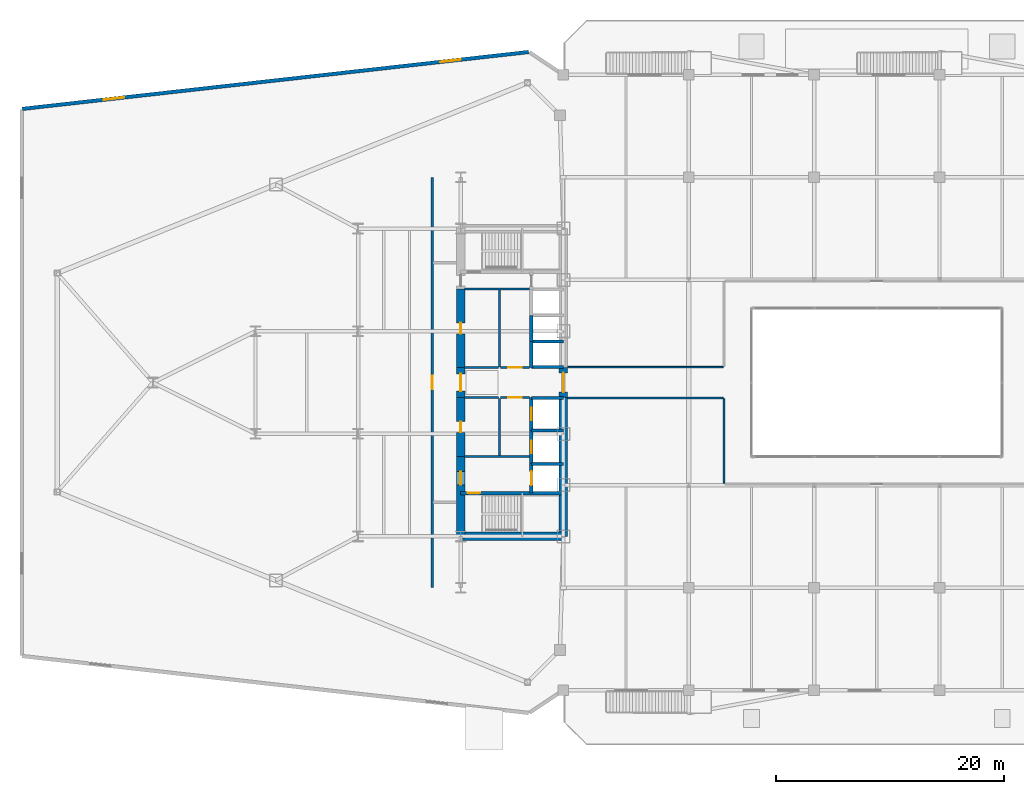
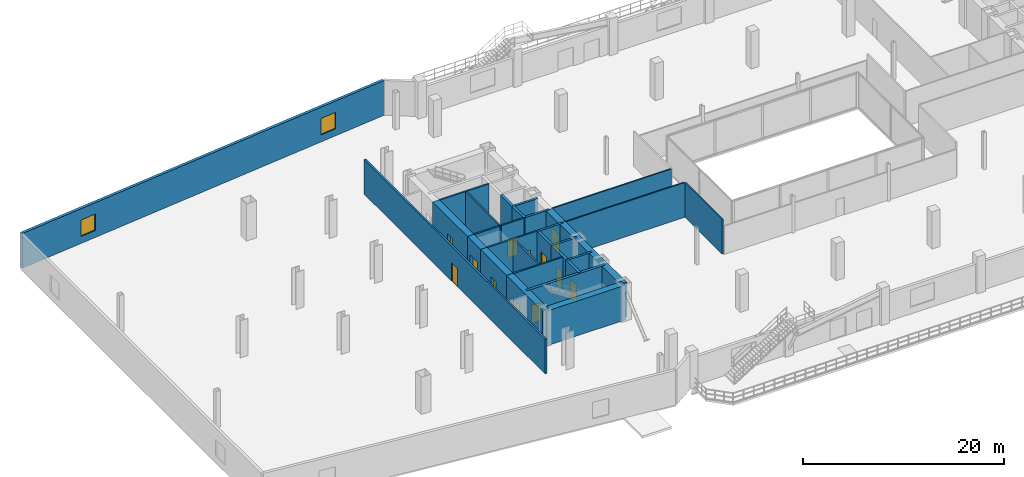
# One storey, part 15 of 25: 31 walls, 12 doors, 2 windows, 14 openings.
"""IFC4 building model written with IfcOpenShell, lengths in metres."""

from ifc_helpers import new_model, si_unit, direction, frame, frame_2d, origin, place, context, subcontext, project, spatial, rectangle, extrude, source, transform, mapped, material, layer, layer_set, type_object, type_shapes, element, fill, save


model = new_model("IFC4")

# Units and contexts
model_context = context("Model", 3, precision=1e-05, world=origin(), true_north=direction((0.0, 1.0)))
body_context = subcontext(model_context, "Body", "Model", "MODEL_VIEW")
ifc_project = project(units=[si_unit("LENGTHUNIT", "METRE"), si_unit("AREAUNIT", "SQUARE_METRE"), si_unit("VOLUMEUNIT", "CUBIC_METRE"), si_unit("PLANEANGLEUNIT", "RADIAN"), si_unit("MASSUNIT", "GRAM", prefix="KILO")], contexts=[model_context])

# Site, building, storey
site_placement = place(None, origin())
site = spatial("IfcSite", under=ifc_project, at=site_placement, CompositionType="ELEMENT")
building_placement = place(site_placement, origin())
building = spatial("IfcBuilding", under=site, at=building_placement, Name="Seokmaru Belvedere", CompositionType="ELEMENT")
storey_placement = place(building_placement, frame((0.0, 0.0, 5.39990234375)))
storey = spatial("IfcBuildingStorey", under=building, at=storey_placement, Name="L01", CompositionType="ELEMENT", Elevation=5.39990234375)

# Walls
ifc_material_1 = material(Name="Fire-Rated Gypsum Shaftwall")
ifc_layer_1 = layer(ifc_material_1, 0.14990234375)
ifc_layer_set_1 = layer_set([ifc_layer_1], Name="Fire-Rated Gypsum Shaftwall")
wall_type_1 = type_object("IfcWallType", Name="Apartment Fire-Acoustic Room Partition 150", PredefinedType="PARTITIONING", material=ifc_layer_set_1)
for number, where, z_axis, x_axis, name in (
    (1, (-27.1201171875, -1.35009765625, 0.0), (0.0, 0.0, 1.0), (1.0, 0.0, 0.0), "L01 Interior Partition 004"),
    (2, (-27.1201171875, 1.35009765625, 0.0), (0.0, 0.0, 1.0), (1.0, 0.0, 0.0), "L01 Interior Partition 006"),
):
    element("IfcWall", number, at=place(storey_placement, frame(where, z_axis=z_axis, x_axis=x_axis)), inside=storey, type_object=wall_type_1, Name=name, PredefinedType="PARTITIONING", context=body_context, shape_type="SweptSolid", body=[
        extrude(rectangle(XDim=13.635009765625, YDim=0.14990234375, at=frame_2d((6.8173828125, 0.0))), origin(), (0.0, 0.0, 1.0), 4.22021484375),
    ])
wall_1_placement = place(storey_placement, frame((-13.39990234375, -8.81494140625, 0.0), z_axis=(0.0, 0.0, 1.0), x_axis=(0.0, 1.0, 0.0)))
element("IfcWall", 3, at=wall_1_placement, inside=storey, type_object=wall_type_1, Name="L01 Interior Partition 013", PredefinedType="PARTITIONING", context=body_context, shape_type="SweptSolid", body=[
    extrude(rectangle(XDim=7.3798828125, YDim=0.14990234375, at=frame_2d((3.68994140625, 0.0))), origin(), (0.0, 0.0, 1.0), 4.22021484375),
])
ifc_layer_2 = layer(ifc_material_1, 0.179931640625)
ifc_layer_set_2 = layer_set([ifc_layer_2], Name="Fire-Rated Gypsum Shaftwall")
wall_type_2 = type_object("IfcWallType", Name="Core Service Fire Partition 180", PredefinedType="PARTITIONING", material=ifc_layer_set_2)
for number, where, z_axis, x_axis, name in (
    (4, (-36.14990234375, -6.5, 0.0), (0.0, 0.0, 1.0), (1.0, 0.0, 0.0), "L01 West Firefighting Lobby Partition"),
    (5, (-36.14990234375, 8.199951171875, 0.0), (0.0, 0.0, 1.0), (1.0, 0.0, 0.0), "L01 West Smokeproof Vestibule Partition"),
):
    element("IfcWall", number, at=place(storey_placement, frame(where, z_axis=z_axis, x_axis=x_axis)), inside=storey, type_object=wall_type_2, Name=name, PredefinedType="PARTITIONING", context=body_context, shape_type="SweptSolid", body=[
        extrude(rectangle(XDim=5.699951171875, YDim=0.179931640625, at=frame_2d((2.85009765625, 0.0))), origin(), (0.0, 0.0, 1.0), 4.22021484375),
    ])
wall_2_placement = place(storey_placement, frame((-33.10009765625, -6.419921875, 0.0), z_axis=(0.0, 0.0, 1.0), x_axis=(0.0, 1.0, 0.0)))
element("IfcWall", 6, at=wall_2_placement, inside=storey, type_object=wall_type_2, Name="L01 West South Core Service Back Wall", PredefinedType="PARTITIONING", context=body_context, shape_type="SweptSolid", body=[
    extrude(rectangle(XDim=5.0400390625, YDim=0.179931640625, at=frame_2d((2.52001953125, 0.0))), origin(), (0.0, 0.0, 1.0), 4.22021484375),
])
wall_3_placement = place(storey_placement, frame((-33.10009765625, 1.3798828125, 0.0), z_axis=(0.0, 0.0, 1.0), x_axis=(0.0, 1.0, 0.0)))
element("IfcWall", 7, at=wall_3_placement, inside=storey, type_object=wall_type_2, Name="L01 West North Core Service Back Wall", PredefinedType="PARTITIONING", context=body_context, shape_type="SweptSolid", body=[
    extrude(rectangle(XDim=6.740234375, YDim=0.179931640625, at=frame_2d((3.3701171875, 0.0))), origin(), (0.0, 0.0, 1.0), 4.22021484375),
])

# Wall, opening, door
wall_4_placement = place(storey_placement, frame((-33.02001953125, -1.300048828125, 0.0), z_axis=(0.0, 0.0, 1.0), x_axis=(1.0, 0.0, 0.0)))
wall_4 = element("IfcWall", 8, at=wall_4_placement, inside=storey, type_object=wall_type_2, Name="L01 West South Lift Lobby Foyer Wall", PredefinedType="PARTITIONING", context=body_context, shape_type="SweptSolid", body=[
    extrude(rectangle(XDim=2.570068359375, YDim=0.179931640625, at=frame_2d((1.28515625, 0.0))), origin(), (0.0, 0.0, 1.0), 4.22021484375),
])
opening_1_placement = place(wall_4_placement, frame((0.7099609375, 0.0, 0.0)))
opening_1 = element("IfcOpeningElement", 9, at=opening_1_placement, cuts=wall_4, Name="Opening D02", PredefinedType="OPENING", context=body_context, shape_type="SweptSolid", body=[
    extrude(rectangle(XDim=1.14990234375, YDim=2.199951171875, at=frame_2d((0.574951171875, 1.10009765625))), frame((0.0, 0.10009765625, 0.0), z_axis=(0.0, -1.0, 0.0), x_axis=(1.0, 0.0, 0.0)), (0.0, 0.0, 1.0), 0.199951171875),
])
ifc_material_2 = material(Name="Fire-Rated Steel Leaf", Category="steel")
door_type_1 = type_object("IfcDoorType", Name="Lobby and Vestibule Fire Door 1150x2200", OperationType="NOTDEFINED", PredefinedType="DOOR", material=ifc_material_2)
shared_shape_1 = source(origin(), body_context, "Body", "SweptSolid", [
    extrude(rectangle(XDim=1.14990234375, YDim=2.199951171875, at=frame_2d((0.574951171875, 1.10009765625))), frame((0.0, 0.02490234375, 0.0), z_axis=(0.0, -1.0, 0.0), x_axis=(1.0, 0.0, 0.0)), (0.0, 0.0, 1.0), 0.050048828125),
])
type_shapes(door_type_1, [shared_shape_1])
door_1_placement = place(opening_1_placement, origin())
door_1 = element("IfcDoor", 10, at=door_1_placement, inside=storey, type_object=door_type_1, Name="L01 West South Core Foyer Door", OperationType="SINGLE_SWING_LEFT", OverallHeight=2.199951171875, OverallWidth=1.14990234375, PredefinedType="DOOR", context=body_context, shape_type="MappedRepresentation", body=[
    mapped(shared_shape_1, transform((0.0, 0.0, 0.0), scale=1.0)),
])
fill(opening_1, door_1)

wall_5_placement = place(storey_placement, frame((-33.02001953125, 1.300048828125, 0.0), z_axis=(0.0, 0.0, 1.0), x_axis=(1.0, 0.0, 0.0)))
wall_5 = element("IfcWall", 11, at=wall_5_placement, inside=storey, type_object=wall_type_2, Name="L01 West North Lift Lobby Foyer Wall", PredefinedType="PARTITIONING", context=body_context, shape_type="SweptSolid", body=[
    extrude(rectangle(XDim=2.570068359375, YDim=0.179931640625, at=frame_2d((1.28515625, 0.0))), origin(), (0.0, 0.0, 1.0), 4.22021484375),
])
opening_2_placement = place(wall_5_placement, frame((0.7099609375, 0.0, 0.0)))
opening_2 = element("IfcOpeningElement", 12, at=opening_2_placement, cuts=wall_5, Name="Opening D02", PredefinedType="OPENING", context=body_context, shape_type="SweptSolid", body=[
    extrude(rectangle(XDim=1.14990234375, YDim=2.199951171875, at=frame_2d((0.574951171875, 1.10009765625))), frame((0.0, 0.10009765625, 0.0), z_axis=(0.0, -1.0, 0.0), x_axis=(1.0, 0.0, 0.0)), (0.0, 0.0, 1.0), 0.199951171875),
])
door_2_placement = place(opening_2_placement, origin())
door_2 = element("IfcDoor", 13, at=door_2_placement, inside=storey, type_object=door_type_1, Name="L01 West North Lift Lobby Door", OperationType="SINGLE_SWING_RIGHT", OverallHeight=2.199951171875, OverallWidth=1.14990234375, PredefinedType="DOOR", context=body_context, shape_type="MappedRepresentation", body=[
    mapped(shared_shape_1, transform((0.0, 0.0, 0.0), scale=1.0)),
])
fill(opening_2, door_2)

# Walls
for number, where, z_axis, x_axis, name in (
    (14, (-36.14990234375, -1.300048828125, 0.0), (0.0, 0.0, 1.0), (1.0, 0.0, 0.0), "L01 West Foyer Side Wall S"),
    (15, (-36.14990234375, 1.300048828125, 0.0), (0.0, 0.0, 1.0), (1.0, 0.0, 0.0), "L01 West Foyer Side Wall N"),
):
    element("IfcWall", number, at=place(storey_placement, frame(where, z_axis=z_axis, x_axis=x_axis)), inside=storey, type_object=wall_type_2, Name=name, PredefinedType="PARTITIONING", context=body_context, shape_type="SweptSolid", body=[
        extrude(rectangle(XDim=2.949951171875, YDim=0.179931640625, at=frame_2d((1.47509765625, 0.0))), origin(), (0.0, 0.0, 1.0), 4.22021484375),
    ])
ifc_material_3 = material(Name="Concrete C50 (50 MPa)", Category="concrete")
ifc_layer_3 = layer(ifc_material_3, 0.25)
ifc_layer_set_3 = layer_set([ifc_layer_3], Name="Concrete C50 (50 MPa)")
wall_type_3 = type_object("IfcWallType", Name="Hoistway Transverse Concrete Divider Wall 250", PredefinedType="SHEAR", material=ifc_layer_set_3)
for number, where, z_axis, x_axis, name in (
    (16, (-30.300048828125, -7.14990234375, 0.0), (0.0, 0.0, 1.0), (1.0, 0.0, 0.0), "L01 West Hoistway Divider Core Wall 1"),
    (17, (-30.300048828125, -4.199951171875, 0.0), (0.0, 0.0, 1.0), (1.0, 0.0, 0.0), "L01 West Hoistway Divider Core Wall 2"),
    (18, (-30.300048828125, -1.35009765625, 0.0), (0.0, 0.0, 1.0), (1.0, 0.0, 0.0), "L01 West Hoistway Divider Core Wall 3"),
    (19, (-30.300048828125, 1.35009765625, 0.0), (0.0, 0.0, 1.0), (1.0, 0.0, 0.0), "L01 West Hoistway Divider Core Wall 4"),
    (20, (-30.300048828125, 3.60009765625, 0.0), (0.0, 0.0, 1.0), (1.0, 0.0, 0.0), "L01 West Hoistway Divider Core Wall 5"),
):
    element("IfcWall", number, at=place(storey_placement, frame(where, z_axis=z_axis, x_axis=x_axis)), inside=storey, type_object=wall_type_3, Name=name, PredefinedType="SHEAR", context=body_context, shape_type="SweptSolid", body=[
        extrude(rectangle(XDim=2.800048828125, YDim=0.25, at=frame_2d((1.39990234375, 0.0))), origin(), (0.0, 0.0, 1.0), 4.22021484375),
    ])

# Wall, opening, door
ifc_layer_4 = layer(ifc_material_1, 0.199951171875)
ifc_layer_set_4 = layer_set([ifc_layer_4], Name="Fire-Rated Gypsum Shaftwall")
wall_type_4 = type_object("IfcWallType", Name="Inter-Tenancy Fire Compartment Partition 200", PredefinedType="PARTITIONING", material=ifc_layer_set_4)
wall_6_placement = place(storey_placement, frame((-39.0, -18.0, 0.0), z_axis=(0.0, 0.0, 1.0), x_axis=(0.0, 1.0, 0.0)))
wall_6 = element("IfcWall", 21, at=wall_6_placement, inside=storey, type_object=wall_type_4, Name="L01 Interior Partition 012", PredefinedType="PARTITIONING", context=body_context, shape_type="SweptSolid", body=[
    extrude(rectangle(XDim=36.0, YDim=0.199951171875, at=frame_2d((18.0, 0.0))), origin(), (0.0, 0.0, 1.0), 4.22021484375),
])
opening_3_placement = place(wall_6_placement, frame((17.425048828125, 0.0, 0.0)))
opening_3 = element("IfcOpeningElement", 22, at=opening_3_placement, cuts=wall_6, Name="Opening D02", PredefinedType="OPENING", context=body_context, shape_type="SweptSolid", body=[
    extrude(rectangle(XDim=1.14990234375, YDim=2.199951171875, at=frame_2d((0.574951171875, 1.10009765625))), frame((0.0, 0.10986328125, 0.0), z_axis=(0.0, -1.0, 0.0), x_axis=(1.0, 0.0, 0.0)), (0.0, 0.0, 1.0), 0.219970703125),
])
door_3_placement = place(opening_3_placement, origin())
door_3 = element("IfcDoor", 23, at=door_3_placement, inside=storey, type_object=door_type_1, Name="L01 Interior Door 001", OperationType="SINGLE_SWING_LEFT", OverallHeight=2.199951171875, OverallWidth=1.14990234375, PredefinedType="DOOR", context=body_context, shape_type="MappedRepresentation", body=[
    mapped(shared_shape_1, transform((0.0, 0.0, 0.0), scale=1.0)),
])
fill(opening_3, door_3)

ifc_layer_5 = layer(ifc_material_3, 0.300048828125)
ifc_layer_set_5 = layer_set([ifc_layer_5], Name="Concrete C50 (50 MPa)")
wall_type_5 = type_object("IfcWallType", Name="Internal Core Stair and Hoistway Wall 300", PredefinedType="SHEAR", material=ifc_layer_set_5)
wall_7_placement = place(storey_placement, frame((-36.5, -9.699951171875, 0.0), z_axis=(0.0, 0.0, 1.0), x_axis=(1.0, 0.0, 0.0)))
wall_7 = element("IfcWall", 24, at=wall_7_placement, inside=storey, type_object=wall_type_5, Name="L01 West Stair ST-1 Enclosure Wall", PredefinedType="SHEAR", context=body_context, shape_type="SweptSolid", body=[
    extrude(rectangle(XDim=9.0, YDim=0.300048828125, at=frame_2d((4.5, 0.0))), origin(), (0.0, 0.0, 1.0), 4.22021484375),
])
opening_4_placement = place(wall_7_placement, frame((0.60009765625, 0.0, 0.0)))
opening_4 = element("IfcOpeningElement", 25, at=opening_4_placement, cuts=wall_7, Name="Opening D01", PredefinedType="OPENING", context=body_context, shape_type="SweptSolid", body=[
    extrude(rectangle(XDim=1.10009765625, YDim=2.199951171875, at=frame_2d((0.550048828125, 1.10009765625))), frame((0.0, 0.16015625, 0.0), z_axis=(0.0, -1.0, 0.0), x_axis=(1.0, 0.0, 0.0)), (0.0, 0.0, 1.0), 0.320068359375),
])
door_type_2 = type_object("IfcDoorType", Name="Special Escape Stair Smokeproof Fire Door 1100x2200", OperationType="NOTDEFINED", PredefinedType="DOOR", material=ifc_material_2)
shared_shape_2 = source(origin(), body_context, "Body", "SweptSolid", [
    extrude(rectangle(XDim=1.10009765625, YDim=2.199951171875, at=frame_2d((0.550048828125, 1.10009765625))), frame((0.0, 0.02490234375, 0.0), z_axis=(0.0, -1.0, 0.0), x_axis=(1.0, 0.0, 0.0)), (0.0, 0.0, 1.0), 0.050048828125),
])
type_shapes(door_type_2, [shared_shape_2])
door_4_placement = place(opening_4_placement, frame((1.10009765625, 0.0, 0.0), z_axis=(0.0, 0.0, 1.0), x_axis=(-1.0, 0.0, 0.0)))
door_4 = element("IfcDoor", 26, at=door_4_placement, inside=storey, type_object=door_type_2, Name="L01 West Special Escape Stair ST-1 Door", OperationType="SINGLE_SWING_LEFT", OverallHeight=2.199951171875, OverallWidth=1.10009765625, PredefinedType="DOOR", context=body_context, shape_type="MappedRepresentation", body=[
    mapped(shared_shape_2, transform((0.0, 0.0, 0.0), scale=1.0)),
])
fill(opening_4, door_4)

wall_8_placement = place(storey_placement, frame((-30.300048828125, -9.679931640625, 0.0), z_axis=(0.0, 0.0, 1.0), x_axis=(0.0, 1.0, 0.0)))
wall_8 = element("IfcWall", 27, at=wall_8_placement, inside=storey, type_object=wall_type_5, Name="L01 West Firefighting Lift Shaft Front Wall", PredefinedType="SHEAR", context=body_context, shape_type="SweptSolid", body=[
    extrude(rectangle(XDim=2.559814453125, YDim=0.300048828125, at=frame_2d((1.27978515625, 0.0))), origin(), (0.0, 0.0, 1.0), 4.22021484375),
])
opening_5_placement = place(wall_8_placement, frame((0.679931640625, 0.0, 0.0)))
opening_5 = element("IfcOpeningElement", 28, at=opening_5_placement, cuts=wall_8, Name="Opening LD2", PredefinedType="OPENING", context=body_context, shape_type="SweptSolid", body=[
    extrude(rectangle(XDim=1.199951171875, YDim=2.25, at=frame_2d((0.60009765625, 1.125))), frame((0.0, 0.16015625, 0.0), z_axis=(0.0, -1.0, 0.0), x_axis=(1.0, 0.0, 0.0)), (0.0, 0.0, 1.0), 0.320068359375),
])
ifc_material_4 = material(Name="Stainless Steel 316", Category="steel")
door_type_3 = type_object("IfcDoorType", Name="Firefighting Lift Sliding Landing Door 1200x2250", OperationType="DOUBLE_DOOR_SLIDING", PredefinedType="DOOR", material=ifc_material_4)
shared_shape_3 = source(origin(), body_context, "Body", "SweptSolid", [
    extrude(rectangle(XDim=1.199951171875, YDim=2.25, at=frame_2d((0.60009765625, 1.125))), frame((0.0, 0.02490234375, 0.0), z_axis=(0.0, -1.0, 0.0), x_axis=(1.0, 0.0, 0.0)), (0.0, 0.0, 1.0), 0.050048828125),
])
type_shapes(door_type_3, [shared_shape_3])
door_5_placement = place(opening_5_placement, origin())
door_5 = element("IfcDoor", 29, at=door_5_placement, inside=storey, type_object=door_type_3, Name="L01 West Firefighting Lift Landing Door", OperationType="DOUBLE_DOOR_SLIDING", OverallHeight=2.25, OverallWidth=1.199951171875, PredefinedType="DOOR", context=body_context, shape_type="MappedRepresentation", body=[
    mapped(shared_shape_3, transform((0.0, 0.0, 0.0), scale=1.0)),
])
fill(opening_5, door_5)

wall_9_placement = place(storey_placement, frame((-30.300048828125, -7.1201171875, 0.0), z_axis=(0.0, 0.0, 1.0), x_axis=(0.0, 1.0, 0.0)))
wall_9 = element("IfcWall", 30, at=wall_9_placement, inside=storey, type_object=wall_type_5, Name="L01 West Low-Rise Lift PL-1 Front Wall", PredefinedType="SHEAR", context=body_context, shape_type="SweptSolid", body=[
    extrude(rectangle(XDim=2.920166015625, YDim=0.300048828125, at=frame_2d((1.4599609375, 0.0))), origin(), (0.0, 0.0, 1.0), 4.22021484375),
])
opening_6_placement = place(wall_9_placement, frame((0.909912109375, 0.0, 0.0)))
opening_6 = element("IfcOpeningElement", 31, at=opening_6_placement, cuts=wall_9, Name="Opening LD1", PredefinedType="OPENING", context=body_context, shape_type="SweptSolid", body=[
    extrude(rectangle(XDim=1.10009765625, YDim=2.199951171875, at=frame_2d((0.550048828125, 1.10009765625))), frame((0.0, 0.16015625, 0.0), z_axis=(0.0, -1.0, 0.0), x_axis=(1.0, 0.0, 0.0)), (0.0, 0.0, 1.0), 0.320068359375),
])
door_type_4 = type_object("IfcDoorType", Name="Passenger Lift Sliding Landing Door 1100x2200", OperationType="DOUBLE_DOOR_SLIDING", PredefinedType="DOOR", material=ifc_material_4)
shared_shape_4 = source(origin(), body_context, "Body", "SweptSolid", [
    extrude(rectangle(XDim=1.10009765625, YDim=2.199951171875, at=frame_2d((0.550048828125, 1.10009765625))), frame((0.0, 0.02490234375, 0.0), z_axis=(0.0, -1.0, 0.0), x_axis=(1.0, 0.0, 0.0)), (0.0, 0.0, 1.0), 0.050048828125),
])
type_shapes(door_type_4, [shared_shape_4])
door_6_placement = place(opening_6_placement, origin())
door_6 = element("IfcDoor", 32, at=door_6_placement, inside=storey, type_object=door_type_4, Name="L01 West Low-Rise Lift PL-1 Landing Door", OperationType="DOUBLE_DOOR_SLIDING", OverallHeight=2.199951171875, OverallWidth=1.10009765625, PredefinedType="DOOR", context=body_context, shape_type="MappedRepresentation", body=[
    mapped(shared_shape_4, transform((0.0, 0.0, 0.0), scale=1.0)),
])
fill(opening_6, door_6)

wall_10_placement = place(storey_placement, frame((-30.300048828125, -4.199951171875, 0.0), z_axis=(0.0, 0.0, 1.0), x_axis=(0.0, 1.0, 0.0)))
wall_10 = element("IfcWall", 33, at=wall_10_placement, inside=storey, type_object=wall_type_5, Name="L01 West Low-Rise Lift PL-2 Front Wall", PredefinedType="SHEAR", context=body_context, shape_type="SweptSolid", body=[
    extrude(rectangle(XDim=2.8798828125, YDim=0.300048828125, at=frame_2d((1.43994140625, 0.0))), origin(), (0.0, 0.0, 1.0), 4.22021484375),
])
opening_7_placement = place(wall_10_placement, frame((0.889892578125, 0.0, 0.0)))
opening_7 = element("IfcOpeningElement", 34, at=opening_7_placement, cuts=wall_10, Name="Opening LD1", PredefinedType="OPENING", context=body_context, shape_type="SweptSolid", body=[
    extrude(rectangle(XDim=1.10009765625, YDim=2.199951171875, at=frame_2d((0.550048828125, 1.10009765625))), frame((0.0, 0.16015625, 0.0), z_axis=(0.0, -1.0, 0.0), x_axis=(1.0, 0.0, 0.0)), (0.0, 0.0, 1.0), 0.320068359375),
])
door_7_placement = place(opening_7_placement, origin())
door_7 = element("IfcDoor", 35, at=door_7_placement, inside=storey, type_object=door_type_4, Name="L01 West Low-Rise Lift PL-2 Landing Door", OperationType="DOUBLE_DOOR_SLIDING", OverallHeight=2.199951171875, OverallWidth=1.10009765625, PredefinedType="DOOR", context=body_context, shape_type="MappedRepresentation", body=[
    mapped(shared_shape_4, transform((0.0, 0.0, 0.0), scale=1.0)),
])
fill(opening_7, door_7)

# Walls
wall_11_placement = place(storey_placement, frame((-30.300048828125, 1.320068359375, 0.0), z_axis=(0.0, 0.0, 1.0), x_axis=(0.0, 1.0, 0.0)))
element("IfcWall", 36, at=wall_11_placement, inside=storey, type_object=wall_type_5, Name="L01 West North Hoistway Wall PH1", PredefinedType="SHEAR", context=body_context, shape_type="SweptSolid", body=[
    extrude(rectangle(XDim=2.280029296875, YDim=0.300048828125, at=frame_2d((1.14013671875, 0.0))), origin(), (0.0, 0.0, 1.0), 4.22021484375),
])
wall_12_placement = place(storey_placement, frame((-30.300048828125, 3.60009765625, 0.0), z_axis=(0.0, 0.0, 1.0), x_axis=(0.0, 1.0, 0.0)))
element("IfcWall", 37, at=wall_12_placement, inside=storey, type_object=wall_type_5, Name="L01 West North Hoistway Wall PH2", PredefinedType="SHEAR", context=body_context, shape_type="SweptSolid", body=[
    extrude(rectangle(XDim=2.2998046875, YDim=0.300048828125, at=frame_2d((1.14990234375, 0.0))), origin(), (0.0, 0.0, 1.0), 4.22021484375),
])
ifc_material_5 = material(Name="Concrete C60 (60 MPa)", Category="concrete")
ifc_layer_6 = layer(ifc_material_5, 0.75)
ifc_layer_set_6 = layer_set([ifc_layer_6], Name="Concrete C60 (60 MPa)")
wall_type_6 = type_object("IfcWallType", Name="Lower Tower Reinforced Concrete Core Wall 750", PredefinedType="SHEAR", material=ifc_layer_set_6)
wall_13_placement = place(storey_placement, frame((-27.5, -13.5, 0.0), z_axis=(0.0, 0.0, 1.0), x_axis=(0.0, 1.0, 0.0)))
element("IfcWall", 38, at=wall_13_placement, inside=storey, type_object=wall_type_6, Name="L01 West Portal Spine Core Wall South", PredefinedType="SHEAR", context=body_context, shape_type="SweptSolid", body=[
    extrude(rectangle(XDim=12.199951171875, YDim=0.75, at=frame_2d((6.10009765625, 0.0))), origin(), (0.0, 0.0, 1.0), 4.22021484375),
])

# Wall, opening, door
wall_14_placement = place(storey_placement, frame((-27.5, -1.300048828125, 0.0), z_axis=(0.0, 0.0, 1.0), x_axis=(0.0, 1.0, 0.0)))
wall_14 = element("IfcWall", 39, at=wall_14_placement, inside=storey, type_object=wall_type_6, Name="L01 West Portal Spine Core Wall Center", PredefinedType="SHEAR", context=body_context, shape_type="SweptSolid", body=[
    extrude(rectangle(XDim=2.60009765625, YDim=0.75, at=frame_2d((1.300048828125, 0.0))), origin(), (0.0, 0.0, 1.0), 4.22021484375),
])
opening_8_placement = place(wall_14_placement, frame((0.449951171875, 0.0, 0.0)))
opening_8 = element("IfcOpeningElement", 40, at=opening_8_placement, cuts=wall_14, Name="Opening D09", PredefinedType="OPENING", context=body_context, shape_type="SweptSolid", body=[
    extrude(rectangle(XDim=1.699951171875, YDim=2.35009765625, at=frame_2d((0.85009765625, 1.175048828125))), frame((0.0, 0.385009765625, 0.0), z_axis=(0.0, -1.0, 0.0), x_axis=(1.0, 0.0, 0.0)), (0.0, 0.0, 1.0), 0.77001953125),
])
door_type_5 = type_object("IfcDoorType", Name="Sky-Gate Bridge Inter-Tower Fire Door 1700x2350", OperationType="DOUBLE_SWING_LEFT", PredefinedType="DOOR", material=ifc_material_2)
shared_shape_5 = source(origin(), body_context, "Body", "SweptSolid", [
    extrude(rectangle(XDim=1.699951171875, YDim=2.35009765625, at=frame_2d((0.85009765625, 1.175048828125))), frame((0.0, 0.02490234375, 0.0), z_axis=(0.0, -1.0, 0.0), x_axis=(1.0, 0.0, 0.0)), (0.0, 0.0, 1.0), 0.050048828125),
])
type_shapes(door_type_5, [shared_shape_5])
door_8_placement = place(opening_8_placement, origin())
door_8 = element("IfcDoor", 41, at=door_8_placement, inside=storey, type_object=door_type_5, Name="L01 West Inter-Tower Fire Door", OperationType="DOUBLE_SWING_LEFT", OverallHeight=2.35009765625, OverallWidth=1.699951171875, PredefinedType="DOOR", context=body_context, shape_type="MappedRepresentation", body=[
    mapped(shared_shape_5, transform((0.0, 0.0, 0.0), scale=1.0)),
])
fill(opening_8, door_8)

# Wall
wall_15_placement = place(storey_placement, frame((-36.5, -13.5, 0.0), z_axis=(0.0, 0.0, 1.0), x_axis=(1.0, 0.0, 0.0)))
element("IfcWall", 42, at=wall_15_placement, inside=storey, type_object=wall_type_6, Name="L01 West South Core Wall", PredefinedType="SHEAR", context=body_context, shape_type="SweptSolid", body=[
    extrude(rectangle(XDim=9.0, YDim=0.75, at=frame_2d((4.5, 0.0))), origin(), (0.0, 0.0, 1.0), 4.22021484375),
])

# Wall, opening, door
wall_16_placement = place(storey_placement, frame((-36.5, -13.64990234375, 0.0), z_axis=(0.0, 0.0, 1.0), x_axis=(0.0, 1.0, 0.0)))
wall_16 = element("IfcWall", 43, at=wall_16_placement, inside=storey, type_object=wall_type_6, Name="L01 West West Core Wall FF", PredefinedType="SHEAR", context=body_context, shape_type="SweptSolid", body=[
    extrude(rectangle(XDim=7.14990234375, YDim=0.75, at=frame_2d((3.574951171875, 0.0))), origin(), (0.0, 0.0, 1.0), 4.22021484375),
])
opening_9_placement = place(wall_16_placement, frame((4.675048828125, 0.0, 0.0)))
opening_9 = element("IfcOpeningElement", 44, at=opening_9_placement, cuts=wall_16, Name="Opening D02", PredefinedType="OPENING", context=body_context, shape_type="SweptSolid", body=[
    extrude(rectangle(XDim=1.14990234375, YDim=2.199951171875, at=frame_2d((0.574951171875, 1.10009765625))), frame((0.0, 0.385009765625, 0.0), z_axis=(0.0, -1.0, 0.0), x_axis=(1.0, 0.0, 0.0)), (0.0, 0.0, 1.0), 0.77001953125),
])
door_9_placement = place(opening_9_placement, frame((1.14990234375, 0.0, 0.0), z_axis=(0.0, 0.0, 1.0), x_axis=(-1.0, 0.0, 0.0)))
door_9 = element("IfcDoor", 45, at=door_9_placement, inside=storey, type_object=door_type_1, Name="L01 West Firefighting Lobby Door", OperationType="SINGLE_SWING_LEFT", OverallHeight=2.199951171875, OverallWidth=1.14990234375, PredefinedType="DOOR", context=body_context, shape_type="MappedRepresentation", body=[
    mapped(shared_shape_1, transform((0.0, 0.0, 0.0), scale=1.0)),
])
fill(opening_9, door_9)

wall_17_placement = place(storey_placement, frame((-36.5, -1.300048828125, 0.0), z_axis=(0.0, 0.0, 1.0), x_axis=(0.0, 1.0, 0.0)))
wall_17 = element("IfcWall", 46, at=wall_17_placement, inside=storey, type_object=wall_type_6, Name="L01 West West Core Wall FOY", PredefinedType="SHEAR", context=body_context, shape_type="SweptSolid", body=[
    extrude(rectangle(XDim=2.60009765625, YDim=0.75, at=frame_2d((1.300048828125, 0.0))), origin(), (0.0, 0.0, 1.0), 4.22021484375),
])
opening_10_placement = place(wall_17_placement, frame((0.550048828125, 0.0, 0.0)))
opening_10 = element("IfcOpeningElement", 47, at=opening_10_placement, cuts=wall_17, Name="Opening D08", PredefinedType="OPENING", context=body_context, shape_type="SweptSolid", body=[
    extrude(rectangle(XDim=1.5, YDim=2.300048828125, at=frame_2d((0.75, 1.14990234375))), frame((0.0, 0.385009765625, 0.0), z_axis=(0.0, -1.0, 0.0), x_axis=(1.0, 0.0, 0.0)), (0.0, 0.0, 1.0), 0.77001953125),
])
door_type_6 = type_object("IfcDoorType", Name="Cross-Corridor Compartment Double Fire Door 1500x2300", OperationType="DOUBLE_SWING_LEFT", PredefinedType="DOOR", material=ifc_material_2)
shared_shape_6 = source(origin(), body_context, "Body", "SweptSolid", [
    extrude(rectangle(XDim=1.5, YDim=2.300048828125, at=frame_2d((0.75, 1.14990234375))), frame((0.0, 0.02490234375, 0.0), z_axis=(0.0, -1.0, 0.0), x_axis=(1.0, 0.0, 0.0)), (0.0, 0.0, 1.0), 0.050048828125),
])
type_shapes(door_type_6, [shared_shape_6])
door_10_placement = place(opening_10_placement, origin())
door_10 = element("IfcDoor", 48, at=door_10_placement, inside=storey, type_object=door_type_6, Name="L01 West Core Foyer Compartment Door", OperationType="DOUBLE_SWING_LEFT", OverallHeight=2.300048828125, OverallWidth=1.5, PredefinedType="DOOR", context=body_context, shape_type="MappedRepresentation", body=[
    mapped(shared_shape_6, transform((0.0, 0.0, 0.0), scale=1.0)),
])
fill(opening_10, door_10)

wall_18_placement = place(storey_placement, frame((-36.5, -6.5, 0.0), z_axis=(0.0, 0.0, 1.0), x_axis=(0.0, 1.0, 0.0)))
wall_18 = element("IfcWall", 49, at=wall_18_placement, inside=storey, type_object=wall_type_6, Name="L01 West West Core Wall CS1", PredefinedType="SHEAR", context=body_context, shape_type="SweptSolid", body=[
    extrude(rectangle(XDim=5.199951171875, YDim=0.75, at=frame_2d((2.60009765625, 0.0))), origin(), (0.0, 0.0, 1.0), 4.22021484375),
])
opening_11_placement = place(wall_18_placement, frame((2.125, 0.0, 0.0)))
opening_11 = element("IfcOpeningElement", 50, at=opening_11_placement, cuts=wall_18, Name="Opening D04", PredefinedType="OPENING", context=body_context, shape_type="SweptSolid", body=[
    extrude(rectangle(XDim=0.949951171875, YDim=2.14990234375, at=frame_2d((0.47509765625, 1.074951171875))), frame((0.0, 0.385009765625, 0.0), z_axis=(0.0, -1.0, 0.0), x_axis=(1.0, 0.0, 0.0)), (0.0, 0.0, 1.0), 0.77001953125),
])
door_type_7 = type_object("IfcDoorType", Name="Core Service Room Fire Door 950x2150", OperationType="NOTDEFINED", PredefinedType="DOOR", material=ifc_material_2)
shared_shape_7 = source(origin(), body_context, "Body", "SweptSolid", [
    extrude(rectangle(XDim=0.949951171875, YDim=2.14990234375, at=frame_2d((0.47509765625, 1.074951171875))), frame((0.0, 0.02490234375, 0.0), z_axis=(0.0, -1.0, 0.0), x_axis=(1.0, 0.0, 0.0)), (0.0, 0.0, 1.0), 0.050048828125),
])
type_shapes(door_type_7, [shared_shape_7])
door_11_placement = place(opening_11_placement, origin())
door_11 = element("IfcDoor", 51, at=door_11_placement, inside=storey, type_object=door_type_7, Name="L01 West Core Service Room Door 1", OperationType="SINGLE_SWING_LEFT", OverallHeight=2.14990234375, OverallWidth=0.949951171875, PredefinedType="DOOR", context=body_context, shape_type="MappedRepresentation", body=[
    mapped(shared_shape_7, transform((0.0, 0.0, 0.0), scale=1.0)),
])
fill(opening_11, door_11)

wall_19_placement = place(storey_placement, frame((-36.5, 1.300048828125, 0.0), z_axis=(0.0, 0.0, 1.0), x_axis=(0.0, 1.0, 0.0)))
wall_19 = element("IfcWall", 52, at=wall_19_placement, inside=storey, type_object=wall_type_6, Name="L01 West West Core Wall CS2", PredefinedType="SHEAR", context=body_context, shape_type="SweptSolid", body=[
    extrude(rectangle(XDim=6.89990234375, YDim=0.75, at=frame_2d((3.449951171875, 0.0))), origin(), (0.0, 0.0, 1.0), 4.22021484375),
])
opening_12_placement = place(wall_19_placement, frame((2.97509765625, 0.0, 0.0)))
opening_12 = element("IfcOpeningElement", 53, at=opening_12_placement, cuts=wall_19, Name="Opening D04", PredefinedType="OPENING", context=body_context, shape_type="SweptSolid", body=[
    extrude(rectangle(XDim=0.949951171875, YDim=2.14990234375, at=frame_2d((0.47509765625, 1.074951171875))), frame((0.0, 0.385009765625, 0.0), z_axis=(0.0, -1.0, 0.0), x_axis=(1.0, 0.0, 0.0)), (0.0, 0.0, 1.0), 0.77001953125),
])
door_12_placement = place(opening_12_placement, origin())
door_12 = element("IfcDoor", 54, at=door_12_placement, inside=storey, type_object=door_type_7, Name="L01 West Core Service Room Door 2", OperationType="SINGLE_SWING_RIGHT", OverallHeight=2.14990234375, OverallWidth=0.949951171875, PredefinedType="DOOR", context=body_context, shape_type="MappedRepresentation", body=[
    mapped(shared_shape_7, transform((0.0, 0.0, 0.0), scale=1.0)),
])
fill(opening_12, door_12)

# Wall, openings, windows
ifc_material_6 = material(Name="Concrete C40 (40 MPa)", Category="concrete")
ifc_layer_7 = layer(ifc_material_6, 0.320068359375)
ifc_layer_set_7 = layer_set([ifc_layer_7], Name="Concrete C40 (40 MPa)")
wall_type_7 = type_object("IfcWallType", Name="Podium Terrace Insulated Wall 320", PredefinedType="SOLIDWALL", material=ifc_layer_set_7)
wall_20_placement = place(storey_placement, frame((-30.539794921875, 28.99560546875, 0.0), z_axis=(0.0, 0.0, 1.0), x_axis=(-0.993746430789, -0.111660338952, 0.0)))
wall_20 = element("IfcWall", 55, at=wall_20_placement, inside=storey, type_object=wall_type_7, Name="L01 Exterior Podium Wall 11", PredefinedType="SOLIDWALL", context=body_context, shape_type="SweptSolid", body=[
    extrude(rectangle(XDim=44.699951171875, YDim=0.320068359375, at=frame_2d((22.35009765625, 0.0))), origin(), (0.0, 0.0, 1.0), 4.22021484375),
])
opening_13_placement = place(wall_20_placement, frame((6.0, 0.0, 0.85009765625)))
opening_13 = element("IfcOpeningElement", 56, at=opening_13_placement, cuts=wall_20, Name="Opening WN2", PredefinedType="OPENING", context=body_context, shape_type="SweptSolid", body=[
    extrude(rectangle(XDim=1.800048828125, YDim=2.0, at=frame_2d((0.89990234375, 1.0))), frame((0.0, 0.169921875, 0.0), z_axis=(0.0, -1.0, 0.0), x_axis=(1.0, 0.0, 0.0)), (0.0, 0.0, 1.0), 0.340087890625),
])
opening_14_placement = place(wall_20_placement, frame((35.699951171875, 0.0, 0.85009765625)))
opening_14 = element("IfcOpeningElement", 57, at=opening_14_placement, cuts=wall_20, Name="Opening WN2", PredefinedType="OPENING", context=body_context, shape_type="SweptSolid", body=[
    extrude(rectangle(XDim=1.800048828125, YDim=2.0, at=frame_2d((0.89990234375, 1.0))), frame((0.0, 0.169921875, 0.0), z_axis=(0.0, -1.0, 0.0), x_axis=(1.0, 0.0, 0.0)), (0.0, 0.0, 1.0), 0.340087890625),
])
ifc_material_7 = material(Name="Bronze Triple Insulating Glass", Category="glass")
window_type = type_object("IfcWindowType", Name="Podium Gallery Window 1800x2000", PartitioningType="SINGLE_PANEL", PredefinedType="WINDOW", material=ifc_material_7)
shared_shape_8 = source(origin(), body_context, "Body", "SweptSolid", [
    extrude(rectangle(XDim=1.800048828125, YDim=2.0, at=frame_2d((0.89990234375, 1.0))), frame((0.0, 0.030029296875, 0.0), z_axis=(0.0, -1.0, 0.0), x_axis=(1.0, 0.0, 0.0)), (0.0, 0.0, 1.0), 0.06005859375),
])
type_shapes(window_type, [shared_shape_8])
window_1_placement = place(opening_13_placement, origin())
window_1 = element("IfcWindow", 58, at=window_1_placement, inside=storey, type_object=window_type, Name="L01 Podium Gallery Window 10-1", OverallHeight=2.0, OverallWidth=1.800048828125, PartitioningType="SINGLE_PANEL", PredefinedType="WINDOW", context=body_context, shape_type="MappedRepresentation", body=[
    mapped(shared_shape_8, transform((0.0, 0.0, 0.0), scale=1.0)),
])
fill(opening_13, window_1)
window_2_placement = place(opening_14_placement, origin())
window_2 = element("IfcWindow", 59, at=window_2_placement, inside=storey, type_object=window_type, Name="L01 Podium Gallery Window 10-2", OverallHeight=2.0, OverallWidth=1.800048828125, PartitioningType="SINGLE_PANEL", PredefinedType="WINDOW", context=body_context, shape_type="MappedRepresentation", body=[
    mapped(shared_shape_8, transform((0.0, 0.0, 0.0), scale=1.0)),
])
fill(opening_14, window_2)

save(model, "model.ifc")
